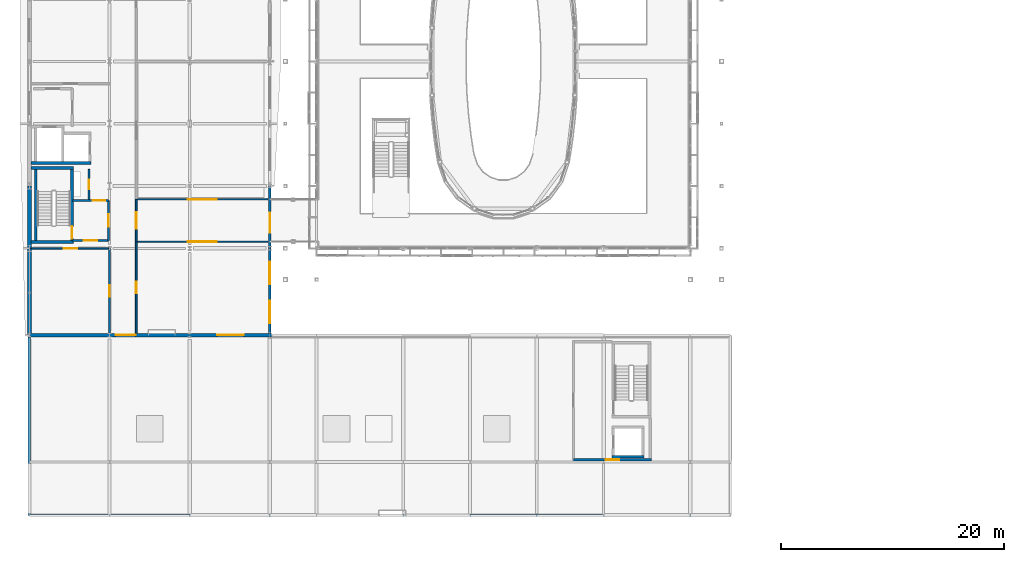
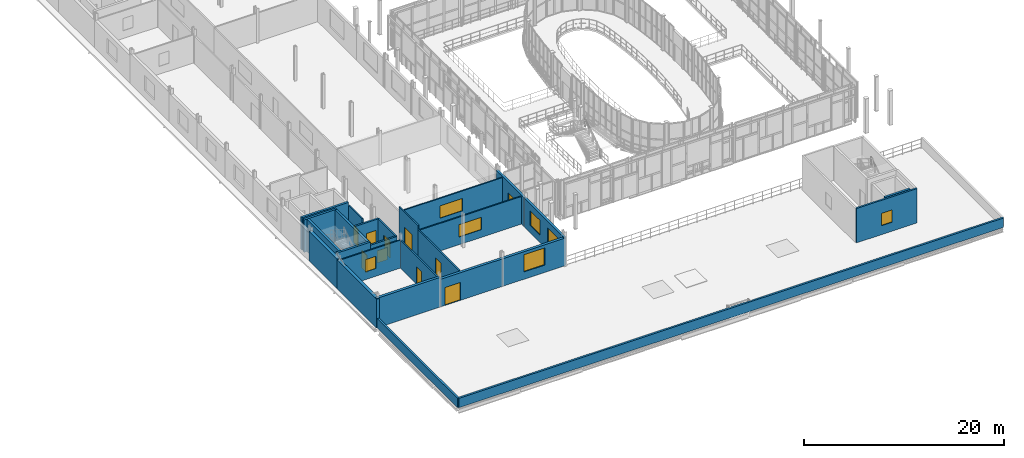
# One storey, part 114 of 138: 26 walls, 9 doors, 8 windows, 17 openings.
"""IFC4 building model written with IfcOpenShell, lengths in metres."""

from ifc_helpers import new_model, si_unit, direction, frame, frame_2d, origin, place, context, subcontext, project, spatial, rectangle, extrude, material, layer, layer_set, type_object, element, fill, save


model = new_model("IFC4")

# Units and contexts
model_context = context("Model", 3, precision=1e-05, world=origin(), true_north=direction((0.0, 1.0)))
body_context = subcontext(model_context, "Body", "Model", "MODEL_VIEW")
ifc_project = project(units=[si_unit("LENGTHUNIT", "METRE"), si_unit("AREAUNIT", "SQUARE_METRE"), si_unit("VOLUMEUNIT", "CUBIC_METRE"), si_unit("PLANEANGLEUNIT", "RADIAN"), si_unit("MASSUNIT", "GRAM", prefix="KILO")], contexts=[model_context])

# Site, building, storey
site_placement = place(None, origin())
site = spatial("IfcSite", under=ifc_project, at=site_placement, CompositionType="ELEMENT")
building_placement = place(site_placement, origin())
building = spatial("IfcBuilding", under=site, at=building_placement, Name="Vinh Khe Railworks Police Headquarters", CompositionType="ELEMENT")
storey_placement = place(building_placement, frame((0.0, 0.0, 9.0)))
storey = spatial("IfcBuildingStorey", under=building, at=storey_placement, Name="L02", CompositionType="ELEMENT", Elevation=9.0)

# Walls
ifc_material_1 = material(Name="Concrete C40/50 (B40)", Category="concrete")
ifc_layer_1 = layer(ifc_material_1, 0.25)
ifc_layer_set_1 = layer_set([ifc_layer_1], Name="Concrete C40/50 (B40)")
wall_type_1 = type_object("IfcWallType", Name="Core Shear Wall 250", PredefinedType="SHEAR", material=ifc_layer_set_1)
for number, where, z_axis, x_axis, name in (
    (1, (0.75, 25.77490234375, 0.0), (0.0, 0.0, 1.0), (1.0, 0.0, 0.0), "Core C1 STAIR-S Shear Wall (L02)"),
    (2, (0.75, 32.425048828125, 0.0), (0.0, 0.0, 1.0), (1.0, 0.0, 0.0), "Core C1 STAIR-N Shear Wall (L02)"),
):
    element("IfcWall", number, at=place(storey_placement, frame(where, z_axis=z_axis, x_axis=x_axis)), inside=storey, type_object=wall_type_1, Name=name, PredefinedType="SHEAR", context=body_context, shape_type="SweptSolid", body=[
        extrude(rectangle(XDim=3.800048828125, YDim=0.25, at=frame_2d((1.89990234375, 0.0))), origin(), (0.0, 0.0, 1.0), 3.97998046875),
    ])
wall_1_placement = place(storey_placement, frame((1.175048828125, 25.89990234375, 0.0), z_axis=(0.0, 0.0, 1.0), x_axis=(0.0, 1.0, 0.0)))
element("IfcWall", 3, at=wall_1_placement, inside=storey, type_object=wall_type_1, Name="Core C1 STAIR-W Shear Wall (L02)", PredefinedType="SHEAR", context=body_context, shape_type="SweptSolid", body=[
    extrude(rectangle(XDim=6.400146484375, YDim=0.25, at=frame_2d((3.2001953125, 0.0))), origin(), (0.0, 0.0, 1.0), 3.97998046875),
])

# Wall, opening, door
wall_2_placement = place(storey_placement, frame((4.425048828125, 25.89990234375, 0.0), z_axis=(0.0, 0.0, 1.0), x_axis=(0.0, 1.0, 0.0)))
wall_2 = element("IfcWall", 4, at=wall_2_placement, inside=storey, type_object=wall_type_1, Name="Core C1 STAIR-E Shear Wall (L02)", PredefinedType="SHEAR", context=body_context, shape_type="SweptSolid", body=[
    extrude(rectangle(XDim=6.400146484375, YDim=0.25, at=frame_2d((3.2001953125, 0.0))), origin(), (0.0, 0.0, 1.0), 3.97998046875),
])
opening_1_placement = place(wall_2_placement, frame((0.169921875, 0.0, 0.0)))
opening_1 = element("IfcOpeningElement", 5, at=opening_1_placement, cuts=wall_2, Name="Opening FD-01", PredefinedType="OPENING", context=body_context, shape_type="SweptSolid", body=[
    extrude(rectangle(XDim=1.10009765625, YDim=2.14990234375, at=frame_2d((0.550048828125, 1.074951171875))), frame((0.0, 0.139892578125, 0.0), z_axis=(0.0, -1.0, 0.0), x_axis=(1.0, 0.0, 0.0)), (0.0, 0.0, 1.0), 0.27978515625),
])
ifc_material_2 = material(Name="Painted galvanised steel", Category="steel")
door_type_1 = type_object("IfcDoorType", Name="FD-1100x2150", OperationType="NOTDEFINED", PredefinedType="DOOR", material=ifc_material_2)
door_1_placement = place(opening_1_placement, frame((1.10009765625, 0.0, 0.0), z_axis=(0.0, 0.0, 1.0), x_axis=(-1.0, 0.0, 0.0)))
door_1 = element("IfcDoor", 6, at=door_1_placement, inside=storey, type_object=door_type_1, Name="Escape Stair ST-01 Fire Door L02", OperationType="SINGLE_SWING_LEFT", OverallHeight=2.14990234375, OverallWidth=1.10009765625, PredefinedType="DOOR", context=body_context, shape_type="SweptSolid", body=[
    extrude(rectangle(XDim=1.10009765625, YDim=2.14990234375, at=frame_2d((0.550048828125, 1.074951171875))), frame((0.0, 0.02490234375, 0.0), z_axis=(0.0, -1.0, 0.0), x_axis=(1.0, 0.0, 0.0)), (0.0, 0.0, 1.0), 0.050048828125),
])
fill(opening_1, door_1)

# Walls
wall_3_placement = place(storey_placement, frame((0.75, 32.875, 0.0), z_axis=(0.0, 0.0, 1.0), x_axis=(1.0, 0.0, 0.0)))
element("IfcWall", 7, at=wall_3_placement, inside=storey, type_object=wall_type_1, Name="Core C1 FL-S Lift Shaft Wall (L02)", PredefinedType="SHEAR", context=body_context, shape_type="SweptSolid", body=[
    extrude(rectangle(XDim=5.39990234375, YDim=0.25, at=frame_2d((2.699951171875, 0.0))), origin(), (0.0, 0.0, 1.0), 3.97998046875),
])
wall_4_placement = place(storey_placement, frame((52.949951171875, 6.47509765625, 0.0), z_axis=(0.0, 0.0, 1.0), x_axis=(1.0, 0.0, 0.0)))
element("IfcWall", 8, at=wall_4_placement, inside=storey, type_object=wall_type_1, Name="Core C5 PL-S Lift Shaft Wall (L02)", PredefinedType="SHEAR", context=body_context, shape_type="SweptSolid", body=[
    extrude(rectangle(XDim=2.900146484375, YDim=0.25, at=frame_2d((1.4501953125, 0.0))), origin(), (0.0, 0.0, 1.0), 4.199951171875),
])

# Wall, openings, windows
ifc_material_3 = material(Name="Clay brickwork", Category="masonry")
ifc_layer_2 = layer(ifc_material_3, 0.260009765625)
ifc_layer_set_2 = layer_set([ifc_layer_2], Name="Clay brickwork")
wall_type_2 = type_object("IfcWallType", Name="EW-BRK-260", PredefinedType="SOLIDWALL", material=ifc_layer_set_2)
wall_5_placement = place(storey_placement, frame((22.199951171875, 17.27001953125, 0.0), z_axis=(0.0, 0.0, 1.0), x_axis=(0.0, 1.0, 0.0)))
wall_5 = element("IfcWall", 9, at=wall_5_placement, inside=storey, type_object=wall_type_2, Name="Exterior Brick Wall EW-L02-V5E-01", PredefinedType="SOLIDWALL", context=body_context, shape_type="SweptSolid", body=[
    extrude(rectangle(XDim=7.929931640625, YDim=0.260009765625, at=frame_2d((3.96484375, 0.0))), origin(), (0.0, 0.0, 1.0), 3.52490234375),
])
opening_2_placement = place(wall_5_placement, frame((1.220458984375, 0.0, 0.89990234375)))
opening_2 = element("IfcOpeningElement", 10, at=opening_2_placement, cuts=wall_5, Name="Opening WN-04", PredefinedType="OPENING", context=body_context, shape_type="SweptSolid", body=[
    extrude(rectangle(XDim=2.0, YDim=1.800048828125, at=frame_2d((1.0, 0.89990234375))), frame((0.0, 0.14501953125, 0.0), z_axis=(0.0, -1.0, 0.0), x_axis=(1.0, 0.0, 0.0)), (0.0, 0.0, 1.0), 0.289794921875),
])
opening_3_placement = place(wall_5_placement, frame((4.709716796875, 0.0, 0.89990234375)))
opening_3 = element("IfcOpeningElement", 11, at=opening_3_placement, cuts=wall_5, Name="Opening WN-04", PredefinedType="OPENING", context=body_context, shape_type="SweptSolid", body=[
    extrude(rectangle(XDim=2.0, YDim=1.800048828125, at=frame_2d((1.0, 0.89990234375))), frame((0.0, 0.14501953125, 0.0), z_axis=(0.0, -1.0, 0.0), x_axis=(1.0, 0.0, 0.0)), (0.0, 0.0, 1.0), 0.289794921875),
])
ifc_material_4 = material(Name="Double-glazed solar-control glass in dark steel frame", Category="steel")
window_type_1 = type_object("IfcWindowType", Name="WIN-WN-04", PartitioningType="DOUBLE_PANEL_VERTICAL", PredefinedType="WINDOW", material=ifc_material_4)
window_1_placement = place(opening_2_placement, origin())
window_1 = element("IfcWindow", 12, at=window_1_placement, inside=storey, type_object=window_type_1, Name="Casement Window WN-04", OverallHeight=1.800048828125, OverallWidth=2.0, PartitioningType="SINGLE_PANEL", PredefinedType="WINDOW", context=body_context, shape_type="SweptSolid", body=[
    extrude(rectangle(XDim=2.0, YDim=1.800048828125, at=frame_2d((1.0, 0.89990234375))), frame((0.0, 0.030029296875, 0.0), z_axis=(0.0, -1.0, 0.0), x_axis=(1.0, 0.0, 0.0)), (0.0, 0.0, 1.0), 0.06005859375),
])
fill(opening_2, window_1)
window_2_placement = place(opening_3_placement, origin())
window_2 = element("IfcWindow", 13, at=window_2_placement, inside=storey, type_object=window_type_1, Name="Casement Window WN-04", OverallHeight=1.800048828125, OverallWidth=2.0, PartitioningType="SINGLE_PANEL", PredefinedType="WINDOW", context=body_context, shape_type="SweptSolid", body=[
    extrude(rectangle(XDim=2.0, YDim=1.800048828125, at=frame_2d((1.0, 0.89990234375))), frame((0.0, 0.030029296875, 0.0), z_axis=(0.0, -1.0, 0.0), x_axis=(1.0, 0.0, 0.0)), (0.0, 0.0, 1.0), 0.06005859375),
])
fill(opening_3, window_2)

# Wall, opening, door
wall_6_placement = place(storey_placement, frame((22.199951171875, 25.199951171875, 0.0), z_axis=(0.0, 0.0, 1.0), x_axis=(0.0, 1.0, 0.0)))
wall_6 = element("IfcWall", 14, at=wall_6_placement, inside=storey, type_object=wall_type_2, Name="Exterior Brick Wall EW-L02-V5E-02", PredefinedType="SOLIDWALL", context=body_context, shape_type="SweptSolid", body=[
    extrude(rectangle(XDim=5.60009765625, YDim=0.260009765625, at=frame_2d((2.800048828125, 0.0))), origin(), (0.0, 0.0, 1.0), 3.52490234375),
])
opening_4_placement = place(wall_6_placement, frame((1.39990234375, 0.0, 0.0)))
opening_4 = element("IfcOpeningElement", 15, at=opening_4_placement, cuts=wall_6, Name="Opening ED-03", PredefinedType="OPENING", context=body_context, shape_type="SweptSolid", body=[
    extrude(rectangle(XDim=1.800048828125, YDim=2.199951171875, at=frame_2d((0.89990234375, 1.10009765625))), frame((0.0, 0.14501953125, 0.0), z_axis=(0.0, -1.0, 0.0), x_axis=(1.0, 0.0, 0.0)), (0.0, 0.0, 1.0), 0.289794921875),
])
ifc_material_5 = material(Name="Dark anodised aluminium and solar-control glass", Category="aluminium")
door_type_2 = type_object("IfcDoorType", Name="ED-TER-1800", OperationType="DOUBLE_DOOR_SINGLE_SWING", PredefinedType="DOOR", material=ifc_material_5)
door_2_placement = place(opening_4_placement, frame((1.800048828125, 0.0, 0.0), z_axis=(0.0, 0.0, 1.0), x_axis=(-1.0, 0.0, 0.0)))
door_2 = element("IfcDoor", 16, at=door_2_placement, inside=storey, type_object=door_type_2, Name="Atrium Gallery Link Fire Door L02", OperationType="DOUBLE_DOOR_SINGLE_SWING", OverallHeight=2.199951171875, OverallWidth=1.800048828125, PredefinedType="DOOR", context=body_context, shape_type="SweptSolid", body=[
    extrude(rectangle(XDim=1.800048828125, YDim=2.199951171875, at=frame_2d((0.89990234375, 1.10009765625))), frame((0.0, 0.02490234375, 0.0), z_axis=(0.0, -1.0, 0.0), x_axis=(1.0, 0.0, 0.0)), (0.0, 0.0, 1.0), 0.050048828125),
])
fill(opening_4, door_2)

# Wall
ifc_layer_3 = layer(ifc_material_3, 0.300048828125)
ifc_layer_set_3 = layer_set([ifc_layer_3], Name="Clay brickwork")
wall_type_3 = type_object("IfcWallType", Name="EW-BRK-300", PredefinedType="SOLIDWALL", material=ifc_layer_set_3)
wall_7_placement = place(storey_placement, frame((0.449951171875, 17.39990234375, 0.0), z_axis=(0.0, 0.0, 1.0), x_axis=(1.0, 0.0, 0.0)))
element("IfcWall", 17, at=wall_7_placement, inside=storey, type_object=wall_type_3, Name="Exterior Brick Wall EW-L02-V5S-01", PredefinedType="SOLIDWALL", context=body_context, shape_type="SweptSolid", body=[
    extrude(rectangle(XDim=7.35009765625, YDim=0.300048828125, at=frame_2d((3.675048828125, 0.0))), origin(), (0.0, 0.0, 1.0), 3.625),
])

# Wall, opening, door
wall_8_placement = place(storey_placement, frame((7.800048828125, 17.39990234375, 0.0), z_axis=(0.0, 0.0, 1.0), x_axis=(1.0, 0.0, 0.0)))
wall_8 = element("IfcWall", 18, at=wall_8_placement, inside=storey, type_object=wall_type_3, Name="Exterior Brick Wall EW-L02-V5S-02", PredefinedType="SOLIDWALL", context=body_context, shape_type="SweptSolid", body=[
    extrude(rectangle(XDim=7.199951171875, YDim=0.300048828125, at=frame_2d((3.60009765625, 0.0))), origin(), (0.0, 0.0, 1.0), 3.375),
])
opening_5_placement = place(wall_8_placement, frame((0.550048828125, 0.0, 0.0)))
opening_5 = element("IfcOpeningElement", 19, at=opening_5_placement, cuts=wall_8, Name="Opening ED-03", PredefinedType="OPENING", context=body_context, shape_type="SweptSolid", body=[
    extrude(rectangle(XDim=1.800048828125, YDim=2.199951171875, at=frame_2d((0.89990234375, 1.10009765625))), frame((0.0, 0.1650390625, 0.0), z_axis=(0.0, -1.0, 0.0), x_axis=(1.0, 0.0, 0.0)), (0.0, 0.0, 1.0), 0.329833984375),
])
door_3_placement = place(opening_5_placement, frame((1.800048828125, 0.0, 0.0), z_axis=(0.0, 0.0, 1.0), x_axis=(-1.0, 0.0, 0.0)))
door_3 = element("IfcDoor", 20, at=door_3_placement, inside=storey, type_object=door_type_2, Name="South Podium Roof Terrace Access Door", OperationType="DOUBLE_DOOR_SINGLE_SWING", OverallHeight=2.199951171875, OverallWidth=1.800048828125, PredefinedType="DOOR", context=body_context, shape_type="SweptSolid", body=[
    extrude(rectangle(XDim=1.800048828125, YDim=2.199951171875, at=frame_2d((0.89990234375, 1.10009765625))), frame((0.0, 0.02490234375, 0.0), z_axis=(0.0, -1.0, 0.0), x_axis=(1.0, 0.0, 0.0)), (0.0, 0.0, 1.0), 0.050048828125),
])
fill(opening_5, door_3)

# Wall, opening, window
wall_9_placement = place(storey_placement, frame((15.0, 17.39990234375, 0.0), z_axis=(0.0, 0.0, 1.0), x_axis=(1.0, 0.0, 0.0)))
wall_9 = element("IfcWall", 21, at=wall_9_placement, inside=storey, type_object=wall_type_3, Name="Exterior Brick Wall EW-L02-V5S-03", PredefinedType="SOLIDWALL", context=body_context, shape_type="SweptSolid", body=[
    extrude(rectangle(XDim=7.35009765625, YDim=0.300048828125, at=frame_2d((3.675048828125, 0.0))), origin(), (0.0, 0.0, 1.0), 3.375),
])
opening_6_placement = place(wall_9_placement, frame((2.47509765625, 0.0, 0.89990234375)))
opening_6 = element("IfcOpeningElement", 22, at=opening_6_placement, cuts=wall_9, Name="Opening WN-02", PredefinedType="OPENING", context=body_context, shape_type="SweptSolid", body=[
    extrude(rectangle(XDim=2.39990234375, YDim=2.10009765625, at=frame_2d((1.199951171875, 1.050048828125))), frame((0.0, 0.1650390625, 0.0), z_axis=(0.0, -1.0, 0.0), x_axis=(1.0, 0.0, 0.0)), (0.0, 0.0, 1.0), 0.329833984375),
])
window_type_2 = type_object("IfcWindowType", Name="WIN-WN-02", PartitioningType="DOUBLE_PANEL_VERTICAL", PredefinedType="WINDOW", material=ifc_material_4)
window_3_placement = place(opening_6_placement, origin())
window_3 = element("IfcWindow", 23, at=window_3_placement, inside=storey, type_object=window_type_2, Name="Casement Window WN-02", OverallHeight=2.10009765625, OverallWidth=2.39990234375, PartitioningType="SINGLE_PANEL", PredefinedType="WINDOW", context=body_context, shape_type="SweptSolid", body=[
    extrude(rectangle(XDim=2.39990234375, YDim=2.10009765625, at=frame_2d((1.199951171875, 1.050048828125))), frame((0.0, 0.030029296875, 0.0), z_axis=(0.0, -1.0, 0.0), x_axis=(1.0, 0.0, 0.0)), (0.0, 0.0, 1.0), 0.06005859375),
])
fill(opening_6, window_3)

# Walls
ifc_layer_4 = layer(ifc_material_3, 0.340087890625)
ifc_layer_set_4 = layer_set([ifc_layer_4], Name="Clay brickwork")
wall_type_4 = type_object("IfcWallType", Name="EW-BRK-340", PredefinedType="SOLIDWALL", material=ifc_layer_set_4)
wall_10_placement = place(storey_placement, frame((0.60009765625, 17.22998046875, 0.0), z_axis=(0.0, 0.0, 1.0), x_axis=(0.0, 1.0, 0.0)))
element("IfcWall", 24, at=wall_10_placement, inside=storey, type_object=wall_type_4, Name="Exterior Brick Wall EW-L02-V5W-01", PredefinedType="SOLIDWALL", context=body_context, shape_type="SweptSolid", body=[
    extrude(rectangle(XDim=7.969970703125, YDim=0.340087890625, at=frame_2d((3.98486328125, 0.0))), origin(), (0.0, 0.0, 1.0), 3.52490234375),
])
wall_11_placement = place(storey_placement, frame((0.60009765625, 25.199951171875, 0.0), z_axis=(0.0, 0.0, 1.0), x_axis=(0.0, 1.0, 0.0)))
element("IfcWall", 25, at=wall_11_placement, inside=storey, type_object=wall_type_4, Name="Exterior Brick Wall EW-L02-V5W-02", PredefinedType="SOLIDWALL", context=body_context, shape_type="SweptSolid", body=[
    extrude(rectangle(XDim=5.60009765625, YDim=0.340087890625, at=frame_2d((2.800048828125, 0.0))), origin(), (0.0, 0.0, 1.0), 3.625),
])
ifc_material_6 = material(Name="Precast concrete C40/50 (B40)", Category="concrete")
ifc_layer_5 = layer(ifc_material_6, 0.219970703125)
ifc_layer_set_5 = layer_set([ifc_layer_5], Name="Precast concrete C40/50 (B40)")
wall_type_5 = type_object("IfcWallType", Name="EW-PAR-220", PredefinedType="PARAPET", material=ifc_layer_set_5)
wall_12_placement = place(storey_placement, frame((0.60009765625, 17.39990234375, 0.0), z_axis=(0.0, 0.0, 1.0), x_axis=(0.0, -1.0, 0.0)))
element("IfcWall", 26, at=wall_12_placement, inside=storey, type_object=wall_type_5, Name="Roof Parapet Wall L02-01", PredefinedType="PARAPET", context=body_context, shape_type="SweptSolid", body=[
    extrude(rectangle(XDim=16.199951171875, YDim=0.219970703125, at=frame_2d((8.10009765625, 0.0))), origin(), (0.0, 0.0, 1.0), 1.14990234375),
])
wall_13_placement = place(storey_placement, frame((0.60009765625, 1.199951171875, 0.0), z_axis=(0.0, 0.0, 1.0), x_axis=(1.0, 0.0, 0.0)))
element("IfcWall", 27, at=wall_13_placement, inside=storey, type_object=wall_type_5, Name="Roof Parapet Wall L02-02", PredefinedType="PARAPET", context=body_context, shape_type="SweptSolid", body=[
    extrude(rectangle(XDim=63.0, YDim=0.219970703125, at=frame_2d((31.5, 0.0))), origin(), (0.0, 0.0, 1.0), 1.14990234375),
])

# Wall, opening, window
ifc_material_7 = material(Name="Autoclaved aerated concrete blockwork", Category="masonry")
ifc_layer_6 = layer(ifc_material_7, 0.199951171875)
ifc_layer_set_6 = layer_set([ifc_layer_6], Name="Autoclaved aerated concrete blockwork")
wall_type_6 = type_object("IfcWallType", Name="IW-BLK-200", PredefinedType="PARTITIONING", material=ifc_layer_set_6)
wall_14_placement = place(storey_placement, frame((49.5, 6.199951171875, 0.0), z_axis=(0.0, 0.0, 1.0), x_axis=(1.0, 0.0, 0.0)))
wall_14 = element("IfcWall", 28, at=wall_14_placement, inside=storey, type_object=wall_type_6, Name="Core C5 Headhouse Enclosure Wall L02-1", PredefinedType="PARTITIONING", context=body_context, shape_type="SweptSolid", body=[
    extrude(rectangle(XDim=7.0, YDim=0.199951171875, at=frame_2d((3.5, 0.0))), origin(), (0.0, 0.0, 1.0), 4.199951171875),
])
opening_7_placement = place(wall_14_placement, frame((2.89990234375, 0.0, 1.10009765625)))
opening_7 = element("IfcOpeningElement", 29, at=opening_7_placement, cuts=wall_14, Name="Opening WN-10", PredefinedType="OPENING", context=body_context, shape_type="SweptSolid", body=[
    extrude(rectangle(XDim=1.199951171875, YDim=1.5, at=frame_2d((0.60009765625, 0.75))), frame((0.0, 0.11474609375, 0.0), z_axis=(0.0, -1.0, 0.0), x_axis=(1.0, 0.0, 0.0)), (0.0, 0.0, 1.0), 0.229736328125),
])
window_type_3 = type_object("IfcWindowType", Name="WIN-WN-10", PartitioningType="SINGLE_PANEL", PredefinedType="WINDOW", material=ifc_material_4)
window_4_placement = place(opening_7_placement, origin())
window_4 = element("IfcWindow", 30, at=window_4_placement, inside=storey, type_object=window_type_3, Name="Core C5 Headhouse Daylight Window WN-10", OverallHeight=1.5, OverallWidth=1.199951171875, PartitioningType="SINGLE_PANEL", PredefinedType="WINDOW", context=body_context, shape_type="SweptSolid", body=[
    extrude(rectangle(XDim=1.199951171875, YDim=1.5, at=frame_2d((0.60009765625, 0.75))), frame((0.0, 0.030029296875, 0.0), z_axis=(0.0, -1.0, 0.0), x_axis=(1.0, 0.0, 0.0)), (0.0, 0.0, 1.0), 0.06005859375),
])
fill(opening_7, window_4)

wall_15_placement = place(storey_placement, frame((4.449951171875, 25.89990234375, 0.0), z_axis=(0.0, 0.0, 1.0), x_axis=(1.0, 0.0, 0.0)))
wall_15 = element("IfcWall", 31, at=wall_15_placement, inside=storey, type_object=wall_type_6, Name="Interior Partition W-STL-C1-S-L02", PredefinedType="PARTITIONING", context=body_context, shape_type="SweptSolid", body=[
    extrude(rectangle(XDim=3.25, YDim=0.199951171875, at=frame_2d((1.625, 0.0))), origin(), (0.0, 0.0, 1.0), 3.47509765625),
])
opening_8_placement = place(wall_15_placement, frame((1.02490234375, 0.0, 0.949951171875)))
opening_8 = element("IfcOpeningElement", 32, at=opening_8_placement, cuts=wall_15, Name="Opening WN-10", PredefinedType="OPENING", context=body_context, shape_type="SweptSolid", body=[
    extrude(rectangle(XDim=1.199951171875, YDim=1.5, at=frame_2d((0.60009765625, 0.75))), frame((0.0, 0.11474609375, 0.0), z_axis=(0.0, -1.0, 0.0), x_axis=(1.0, 0.0, 0.0)), (0.0, 0.0, 1.0), 0.229736328125),
])
window_5_placement = place(opening_8_placement, origin())
window_5 = element("IfcWindow", 33, at=window_5_placement, inside=storey, type_object=window_type_3, Name="Interior Acoustic Vision Window WN-10", OverallHeight=1.5, OverallWidth=1.199951171875, PartitioningType="SINGLE_PANEL", PredefinedType="WINDOW", context=body_context, shape_type="SweptSolid", body=[
    extrude(rectangle(XDim=1.199951171875, YDim=1.5, at=frame_2d((0.60009765625, 0.75))), frame((0.0, 0.030029296875, 0.0), z_axis=(0.0, -1.0, 0.0), x_axis=(1.0, 0.0, 0.0)), (0.0, 0.0, 1.0), 0.06005859375),
])
fill(opening_8, window_5)

# Wall, opening, door
wall_16_placement = place(storey_placement, frame((4.449951171875, 29.5, 0.0), z_axis=(0.0, 0.0, 1.0), x_axis=(1.0, 0.0, 0.0)))
wall_16 = element("IfcWall", 34, at=wall_16_placement, inside=storey, type_object=wall_type_6, Name="Interior Partition W-STL-C1-N-L02", PredefinedType="PARTITIONING", context=body_context, shape_type="SweptSolid", body=[
    extrude(rectangle(XDim=3.25, YDim=0.199951171875, at=frame_2d((1.625, 0.0))), origin(), (0.0, 0.0, 1.0), 3.47509765625),
])
opening_9_placement = place(wall_16_placement, frame((1.85009765625, 0.0, 0.0)))
opening_9 = element("IfcOpeningElement", 35, at=opening_9_placement, cuts=wall_16, Name="Opening FD-01", PredefinedType="OPENING", context=body_context, shape_type="SweptSolid", body=[
    extrude(rectangle(XDim=1.10009765625, YDim=2.14990234375, at=frame_2d((0.550048828125, 1.074951171875))), frame((0.0, 0.11474609375, 0.0), z_axis=(0.0, -1.0, 0.0), x_axis=(1.0, 0.0, 0.0)), (0.0, 0.0, 1.0), 0.229736328125),
])
door_4_placement = place(opening_9_placement, origin())
door_4 = element("IfcDoor", 36, at=door_4_placement, inside=storey, type_object=door_type_1, Name="Lift Lobby Stair Fire Door", OperationType="SINGLE_SWING_LEFT", OverallHeight=2.14990234375, OverallWidth=1.10009765625, PredefinedType="DOOR", context=body_context, shape_type="SweptSolid", body=[
    extrude(rectangle(XDim=1.10009765625, YDim=2.14990234375, at=frame_2d((0.550048828125, 1.074951171875))), frame((0.0, 0.02490234375, 0.0), z_axis=(0.0, -1.0, 0.0), x_axis=(1.0, 0.0, 0.0)), (0.0, 0.0, 1.0), 0.050048828125),
])
fill(opening_9, door_4)

wall_17_placement = place(storey_placement, frame((7.699951171875, 25.89990234375, 0.0), z_axis=(0.0, 0.0, 1.0), x_axis=(0.0, 1.0, 0.0)))
wall_17 = element("IfcWall", 37, at=wall_17_placement, inside=storey, type_object=wall_type_6, Name="Interior Partition W-STL-C1-E-L02", PredefinedType="PARTITIONING", context=body_context, shape_type="SweptSolid", body=[
    extrude(rectangle(XDim=3.60009765625, YDim=0.199951171875, at=frame_2d((1.800048828125, 0.0))), origin(), (0.0, 0.0, 1.0), 3.47509765625),
])
opening_10_placement = place(wall_17_placement, frame((1.25, 0.0, 0.0)))
opening_10 = element("IfcOpeningElement", 38, at=opening_10_placement, cuts=wall_17, Name="Opening FD-01", PredefinedType="OPENING", context=body_context, shape_type="SweptSolid", body=[
    extrude(rectangle(XDim=1.10009765625, YDim=2.14990234375, at=frame_2d((0.550048828125, 1.074951171875))), frame((0.0, 0.11474609375, 0.0), z_axis=(0.0, -1.0, 0.0), x_axis=(1.0, 0.0, 0.0)), (0.0, 0.0, 1.0), 0.229736328125),
])
door_5_placement = place(opening_10_placement, origin())
door_5 = element("IfcDoor", 39, at=door_5_placement, inside=storey, type_object=door_type_1, Name="Stair Vestibule Fire Door", OperationType="SINGLE_SWING_RIGHT", OverallHeight=2.14990234375, OverallWidth=1.10009765625, PredefinedType="DOOR", context=body_context, shape_type="SweptSolid", body=[
    extrude(rectangle(XDim=1.10009765625, YDim=2.14990234375, at=frame_2d((0.550048828125, 1.074951171875))), frame((0.0, 0.02490234375, 0.0), z_axis=(0.0, -1.0, 0.0), x_axis=(1.0, 0.0, 0.0)), (0.0, 0.0, 1.0), 0.050048828125),
])
fill(opening_10, door_5)

# Wall, opening, window
ifc_material_8 = material(Name="Gypsum plasterboard on steel stud", Category="steel")
ifc_layer_7 = layer(ifc_material_8, 0.1201171875)
ifc_layer_set_7 = layer_set([ifc_layer_7], Name="Gypsum plasterboard on steel stud")
wall_type_7 = type_object("IfcWallType", Name="IW-PART-120", PredefinedType="PARTITIONING", material=ifc_layer_set_7)
wall_18_placement = place(storey_placement, frame((0.780029296875, 25.199951171875, 0.0), z_axis=(0.0, 0.0, 1.0), x_axis=(1.0, 0.0, 0.0)))
wall_18 = element("IfcWall", 40, at=wall_18_placement, inside=storey, type_object=wall_type_7, Name="Interior Partition W-L02-V5-TRF1-ENDN", PredefinedType="PARTITIONING", context=body_context, shape_type="SweptSolid", body=[
    extrude(rectangle(XDim=7.02001953125, YDim=0.14990234375, at=frame_2d((3.510009765625, 0.0))), origin(), (0.0, 0.0, 1.0), 3.425048828125),
])
opening_11_placement = place(wall_18_placement, frame((2.909912109375, 0.0, 0.949951171875)))
opening_11 = element("IfcOpeningElement", 41, at=opening_11_placement, cuts=wall_18, Name="Opening WN-10", PredefinedType="OPENING", context=body_context, shape_type="SweptSolid", body=[
    extrude(rectangle(XDim=1.199951171875, YDim=1.5, at=frame_2d((0.60009765625, 0.75))), frame((0.0, 0.08984375, 0.0), z_axis=(0.0, -1.0, 0.0), x_axis=(1.0, 0.0, 0.0)), (0.0, 0.0, 1.0), 0.1796875),
])
window_6_placement = place(opening_11_placement, origin())
window_6 = element("IfcWindow", 42, at=window_6_placement, inside=storey, type_object=window_type_3, Name="Interior Acoustic Vision Window WN-10", OverallHeight=1.5, OverallWidth=1.199951171875, PartitioningType="SINGLE_PANEL", PredefinedType="WINDOW", context=body_context, shape_type="SweptSolid", body=[
    extrude(rectangle(XDim=1.199951171875, YDim=1.5, at=frame_2d((0.60009765625, 0.75))), frame((0.0, 0.030029296875, 0.0), z_axis=(0.0, -1.0, 0.0), x_axis=(1.0, 0.0, 0.0)), (0.0, 0.0, 1.0), 0.06005859375),
])
fill(opening_11, window_6)

wall_19_placement = place(storey_placement, frame((10.199951171875, 25.800048828125, 0.0), z_axis=(0.0, 0.0, 1.0), x_axis=(1.0, 0.0, 0.0)))
wall_19 = element("IfcWall", 43, at=wall_19_placement, inside=storey, type_object=wall_type_7, Name="Interior Partition W-L02-V5-GLK2-DIV", PredefinedType="PARTITIONING", context=body_context, shape_type="SweptSolid", body=[
    extrude(rectangle(XDim=11.860107421875, YDim=0.14990234375, at=frame_2d((5.93017578125, 0.0))), origin(), (0.0, 0.0, 1.0), 3.375),
])
opening_12_placement = place(wall_19_placement, frame((4.6298828125, 0.0, 0.949951171875)))
opening_12 = element("IfcOpeningElement", 44, at=opening_12_placement, cuts=wall_19, Name="Opening WN-07", PredefinedType="OPENING", context=body_context, shape_type="SweptSolid", body=[
    extrude(rectangle(XDim=2.60009765625, YDim=1.5, at=frame_2d((1.300048828125, 0.75))), frame((0.0, 0.08984375, 0.0), z_axis=(0.0, -1.0, 0.0), x_axis=(1.0, 0.0, 0.0)), (0.0, 0.0, 1.0), 0.1796875),
])
window_type_4 = type_object("IfcWindowType", Name="WIN-WN-07", PartitioningType="DOUBLE_PANEL_HORIZONTAL", PredefinedType="WINDOW", material=ifc_material_4)
window_7_placement = place(opening_12_placement, origin())
window_7 = element("IfcWindow", 45, at=window_7_placement, inside=storey, type_object=window_type_4, Name="Interior Acoustic Vision Window WN-07", OverallHeight=1.5, OverallWidth=2.60009765625, PartitioningType="SINGLE_PANEL", PredefinedType="WINDOW", context=body_context, shape_type="SweptSolid", body=[
    extrude(rectangle(XDim=2.60009765625, YDim=1.5, at=frame_2d((1.300048828125, 0.75))), frame((0.0, 0.030029296875, 0.0), z_axis=(0.0, -1.0, 0.0), x_axis=(1.0, 0.0, 0.0)), (0.0, 0.0, 1.0), 0.06005859375),
])
fill(opening_12, window_7)

wall_20_placement = place(storey_placement, frame((10.199951171875, 29.60009765625, 0.0), z_axis=(0.0, 0.0, 1.0), x_axis=(1.0, 0.0, 0.0)))
wall_20 = element("IfcWall", 46, at=wall_20_placement, inside=storey, type_object=wall_type_7, Name="Interior Partition W-L02-V5-PRESS2-DIV", PredefinedType="PARTITIONING", context=body_context, shape_type="SweptSolid", body=[
    extrude(rectangle(XDim=11.860107421875, YDim=0.14990234375, at=frame_2d((5.93017578125, 0.0))), origin(), (0.0, 0.0, 1.0), 3.375),
])
opening_13_placement = place(wall_20_placement, frame((4.6298828125, 0.0, 0.949951171875)))
opening_13 = element("IfcOpeningElement", 47, at=opening_13_placement, cuts=wall_20, Name="Opening WN-07", PredefinedType="OPENING", context=body_context, shape_type="SweptSolid", body=[
    extrude(rectangle(XDim=2.60009765625, YDim=1.5, at=frame_2d((1.300048828125, 0.75))), frame((0.0, 0.08984375, 0.0), z_axis=(0.0, -1.0, 0.0), x_axis=(1.0, 0.0, 0.0)), (0.0, 0.0, 1.0), 0.1796875),
])
window_8_placement = place(opening_13_placement, origin())
window_8 = element("IfcWindow", 48, at=window_8_placement, inside=storey, type_object=window_type_4, Name="Interior Acoustic Vision Window WN-07", OverallHeight=1.5, OverallWidth=2.60009765625, PartitioningType="SINGLE_PANEL", PredefinedType="WINDOW", context=body_context, shape_type="SweptSolid", body=[
    extrude(rectangle(XDim=2.60009765625, YDim=1.5, at=frame_2d((1.300048828125, 0.75))), frame((0.0, 0.030029296875, 0.0), z_axis=(0.0, -1.0, 0.0), x_axis=(1.0, 0.0, 0.0)), (0.0, 0.0, 1.0), 0.06005859375),
])
fill(opening_13, window_8)

# Wall, opening, door
ifc_material_9 = material(Name="Gypsum plasterboard on acoustic steel stud", Category="steel")
ifc_layer_8 = layer(ifc_material_9, 0.14990234375)
ifc_layer_set_8 = layer_set([ifc_layer_8], Name="Gypsum plasterboard on acoustic steel stud")
wall_type_8 = type_object("IfcWallType", Name="IW-PART-150", PredefinedType="PARTITIONING", material=ifc_layer_set_8)
wall_21_placement = place(storey_placement, frame((5.949951171875, 29.60009765625, 0.0), z_axis=(0.0, 0.0, 1.0), x_axis=(0.0, 1.0, 0.0)))
wall_21 = element("IfcWall", 49, at=wall_21_placement, inside=storey, type_object=wall_type_8, Name="Interior Partition W-RSR-C1-E-L02", PredefinedType="PARTITIONING", context=body_context, shape_type="SweptSolid", body=[
    extrude(rectangle(XDim=2.699951171875, YDim=0.14990234375, at=frame_2d((1.35009765625, 0.0))), origin(), (0.0, 0.0, 1.0), 3.97509765625),
])
opening_14_placement = place(wall_21_placement, frame((0.925048828125, 0.0, 0.0)))
opening_14 = element("IfcOpeningElement", 50, at=opening_14_placement, cuts=wall_21, Name="Opening FD-04", PredefinedType="OPENING", context=body_context, shape_type="SweptSolid", body=[
    extrude(rectangle(XDim=0.85009765625, YDim=2.10009765625, at=frame_2d((0.425048828125, 1.050048828125))), frame((0.0, 0.08984375, 0.0), z_axis=(0.0, -1.0, 0.0), x_axis=(1.0, 0.0, 0.0)), (0.0, 0.0, 1.0), 0.1796875),
])
door_type_3 = type_object("IfcDoorType", Name="FD-850x2100", OperationType="NOTDEFINED", PredefinedType="DOOR", material=ifc_material_2)
door_6_placement = place(opening_14_placement, origin())
door_6 = element("IfcDoor", 51, at=door_6_placement, inside=storey, type_object=door_type_3, Name="Electrical Riser Access Door", OperationType="SINGLE_SWING_LEFT", OverallHeight=2.10009765625, OverallWidth=0.85009765625, PredefinedType="DOOR", context=body_context, shape_type="SweptSolid", body=[
    extrude(rectangle(XDim=0.85009765625, YDim=2.10009765625, at=frame_2d((0.425048828125, 1.050048828125))), frame((0.0, 0.02490234375, 0.0), z_axis=(0.0, -1.0, 0.0), x_axis=(1.0, 0.0, 0.0)), (0.0, 0.0, 1.0), 0.050048828125),
])
fill(opening_14, door_6)

wall_22_placement = place(storey_placement, frame((7.800048828125, 17.56005859375, 0.0), z_axis=(0.0, 0.0, 1.0), x_axis=(0.0, 1.0, 0.0)))
wall_22 = element("IfcWall", 52, at=wall_22_placement, inside=storey, type_object=wall_type_8, Name="Interior Partition W-L02-V5-TRF1-CW", PredefinedType="PARTITIONING", context=body_context, shape_type="SweptSolid", body=[
    extrude(rectangle(XDim=7.639892578125, YDim=0.14990234375, at=frame_2d((3.81982421875, 0.0))), origin(), (0.0, 0.0, 1.0), 3.425048828125),
])
opening_15_placement = place(wall_22_placement, frame((3.294921875, 0.0, 0.0)))
opening_15 = element("IfcOpeningElement", 53, at=opening_15_placement, cuts=wall_22, Name="Opening D-02", PredefinedType="OPENING", context=body_context, shape_type="SweptSolid", body=[
    extrude(rectangle(XDim=1.050048828125, YDim=2.14990234375, at=frame_2d((0.52490234375, 1.074951171875))), frame((0.0, 0.08984375, 0.0), z_axis=(0.0, -1.0, 0.0), x_axis=(1.0, 0.0, 0.0)), (0.0, 0.0, 1.0), 0.1796875),
])
ifc_material_10 = material(Name="Seasoned hardwood timber", Category="wood")
door_type_4 = type_object("IfcDoorType", Name="ID-1050x2150", OperationType="NOTDEFINED", PredefinedType="DOOR", material=ifc_material_10)
door_7_placement = place(opening_15_placement, origin())
door_7 = element("IfcDoor", 54, at=door_7_placement, inside=storey, type_object=door_type_4, Name="Traffic Signal Coordination Room Door", OperationType="SINGLE_SWING_RIGHT", OverallHeight=2.14990234375, OverallWidth=1.050048828125, PredefinedType="DOOR", context=body_context, shape_type="SweptSolid", body=[
    extrude(rectangle(XDim=1.050048828125, YDim=2.14990234375, at=frame_2d((0.52490234375, 1.074951171875))), frame((0.0, 0.02490234375, 0.0), z_axis=(0.0, -1.0, 0.0), x_axis=(1.0, 0.0, 0.0)), (0.0, 0.0, 1.0), 0.050048828125),
])
fill(opening_15, door_7)

wall_23_placement = place(storey_placement, frame((10.199951171875, 17.56005859375, 0.0), z_axis=(0.0, 0.0, 1.0), x_axis=(0.0, 1.0, 0.0)))
wall_23 = element("IfcWall", 55, at=wall_23_placement, inside=storey, type_object=wall_type_8, Name="Interior Partition W-L02-V5-PRESS2S-CE", PredefinedType="PARTITIONING", context=body_context, shape_type="SweptSolid", body=[
    extrude(rectangle(XDim=8.239990234375, YDim=0.14990234375, at=frame_2d((4.1201171875, 0.0))), origin(), (0.0, 0.0, 1.0), 3.47509765625),
])
opening_16_placement = place(wall_23_placement, frame((3.594970703125, 0.0, 0.0)))
opening_16 = element("IfcOpeningElement", 56, at=opening_16_placement, cuts=wall_23, Name="Opening D-02", PredefinedType="OPENING", context=body_context, shape_type="SweptSolid", body=[
    extrude(rectangle(XDim=1.050048828125, YDim=2.14990234375, at=frame_2d((0.52490234375, 1.074951171875))), frame((0.0, 0.08984375, 0.0), z_axis=(0.0, -1.0, 0.0), x_axis=(1.0, 0.0, 0.0)), (0.0, 0.0, 1.0), 0.1796875),
])
door_8_placement = place(opening_16_placement, origin())
door_8 = element("IfcDoor", 57, at=door_8_placement, inside=storey, type_object=door_type_4, Name="Media Coordination Office Door", OperationType="SINGLE_SWING_RIGHT", OverallHeight=2.14990234375, OverallWidth=1.050048828125, PredefinedType="DOOR", context=body_context, shape_type="SweptSolid", body=[
    extrude(rectangle(XDim=1.050048828125, YDim=2.14990234375, at=frame_2d((0.52490234375, 1.074951171875))), frame((0.0, 0.02490234375, 0.0), z_axis=(0.0, -1.0, 0.0), x_axis=(1.0, 0.0, 0.0)), (0.0, 0.0, 1.0), 0.050048828125),
])
fill(opening_16, door_8)

wall_24_placement = place(storey_placement, frame((10.199951171875, 25.800048828125, 0.0), z_axis=(0.0, 0.0, 1.0), x_axis=(0.0, 1.0, 0.0)))
wall_24 = element("IfcWall", 58, at=wall_24_placement, inside=storey, type_object=wall_type_8, Name="Interior Partition W-L02-V5-GLK2-CE", PredefinedType="PARTITIONING", context=body_context, shape_type="SweptSolid", body=[
    extrude(rectangle(XDim=3.800048828125, YDim=0.14990234375, at=frame_2d((1.89990234375, 0.0))), origin(), (0.0, 0.0, 1.0), 3.97509765625),
])
opening_17_placement = place(wall_24_placement, frame((1.14990234375, 0.0, 0.0)))
opening_17 = element("IfcOpeningElement", 59, at=opening_17_placement, cuts=wall_24, Name="Opening FD-02", PredefinedType="OPENING", context=body_context, shape_type="SweptSolid", body=[
    extrude(rectangle(XDim=1.5, YDim=2.14990234375, at=frame_2d((0.75, 1.074951171875))), frame((0.0, 0.08984375, 0.0), z_axis=(0.0, -1.0, 0.0), x_axis=(1.0, 0.0, 0.0)), (0.0, 0.0, 1.0), 0.1796875),
])
door_type_5 = type_object("IfcDoorType", Name="FD-1500x2150", OperationType="DOUBLE_DOOR_SINGLE_SWING", PredefinedType="DOOR", material=ifc_material_2)
door_9_placement = place(opening_17_placement, origin())
door_9 = element("IfcDoor", 60, at=door_9_placement, inside=storey, type_object=door_type_5, Name="Upper Atrium Link Lobby L02 Door", OperationType="DOUBLE_DOOR_SINGLE_SWING", OverallHeight=2.14990234375, OverallWidth=1.5, PredefinedType="DOOR", context=body_context, shape_type="SweptSolid", body=[
    extrude(rectangle(XDim=1.5, YDim=2.14990234375, at=frame_2d((0.75, 1.074951171875))), frame((0.0, 0.02490234375, 0.0), z_axis=(0.0, -1.0, 0.0), x_axis=(1.0, 0.0, 0.0)), (0.0, 0.0, 1.0), 0.050048828125),
])
fill(opening_17, door_9)

save(model, "model.ifc")
